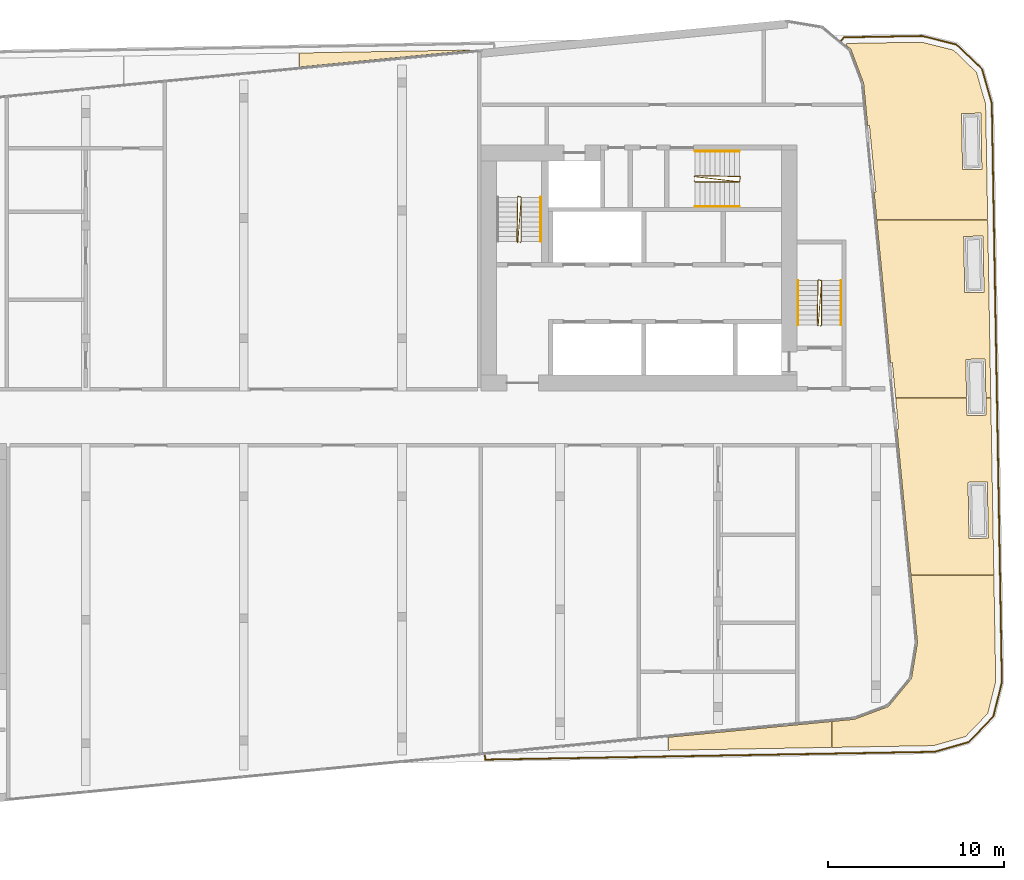
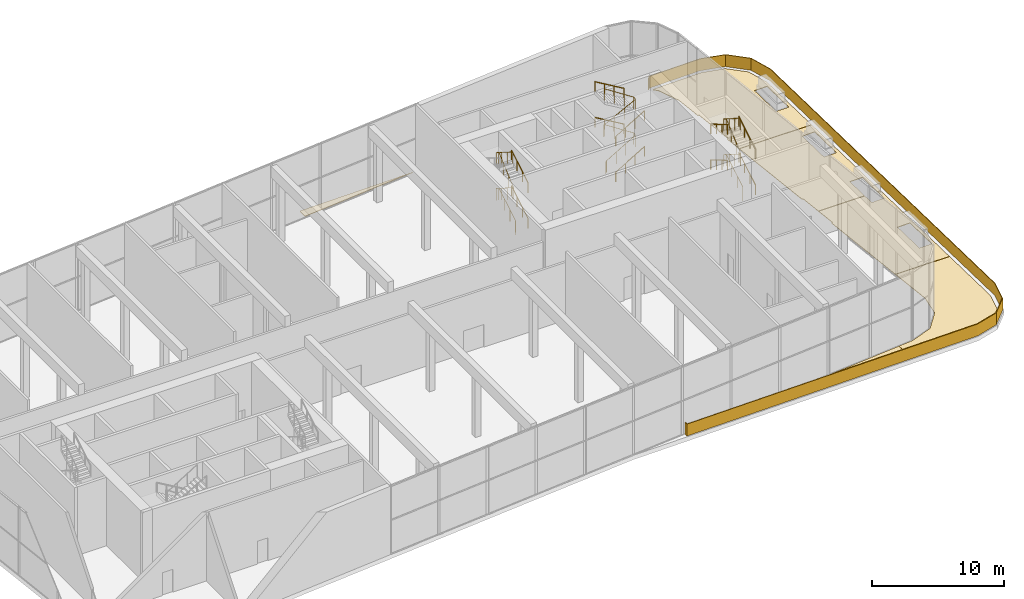
# One storey, part 23 of 24: 14 railings, 6 coverings.
"""IFC4 building model written with IfcOpenShell, lengths in metres."""

from ifc_helpers import new_model, si_unit, direction, frame, origin, origin_2d, place, context, subcontext, project, spatial, polyline, circle, outline, extrude, material, layer, layer_set, type_object, element, save


model = new_model("IFC4")

# Units and contexts
model_context = context("Model", 3, precision=1e-05, world=origin(), true_north=direction((0.0, 1.0)))
body_context = subcontext(model_context, "Body", "Model", "MODEL_VIEW")
ifc_project = project(units=[si_unit("LENGTHUNIT", "METRE"), si_unit("AREAUNIT", "SQUARE_METRE"), si_unit("VOLUMEUNIT", "CUBIC_METRE"), si_unit("PLANEANGLEUNIT", "RADIAN"), si_unit("MASSUNIT", "GRAM", prefix="KILO")], contexts=[model_context])

# Site, building, storey
site_placement = place(None, origin())
site = spatial("IfcSite", under=ifc_project, at=site_placement, CompositionType="ELEMENT")
building_placement = place(site_placement, origin())
building = spatial("IfcBuilding", under=site, at=building_placement, Name="Kajstack Hotel Tower", CompositionType="ELEMENT")
storey_placement = place(building_placement, frame((0.0, 0.0, 261.89990234375)))
storey = spatial("IfcBuildingStorey", under=building, at=storey_placement, Name="L65", CompositionType="ELEMENT", Elevation=261.89990234375)

# Railing
ifc_material_1 = material(Name="Steel S355J2", Category="steel")
railing_type_1 = type_object("IfcRailingType", Name="BALUSTRADE-TERRACE", PredefinedType="BALUSTRADE", material=ifc_material_1)
railing_1_placement = place(storey_placement, frame((34.002197265625, 21.4189453125, 0.0)))
element("IfcRailing", 1, at=railing_1_placement, inside=storey, type_object=railing_type_1, Name="Terrace guard L65-02-01", PredefinedType="BALUSTRADE", context=body_context, shape_type="SweptSolid", body=[
    extrude(outline(polyline([(0.157470703125, 0.238037109375), (4.624267578125, 0.31591796875), (6.5986328125, -0.17626953125), (8.05322265625, -1.580810546875), (8.614013671875, -3.536865234375), (9.189453125, -36.508056640625), (8.697265625, -38.482177734375), (7.29248046875, -39.93701171875), (5.336669921875, -40.497802734375), (-20.28125, -40.945068359375), (-20.3095703125, -40.648681640625), (-20.25, -40.642822265625), (-20.2265625, -40.884033203125), (5.327880859375, -40.437744140625), (7.26025390625, -39.8837890625), (8.64306640625, -38.451904296875), (9.12939453125, -36.501220703125), (8.553955078125, -3.545654296875), (8.0, -1.613037109375), (6.568359375, -0.23046875), (4.617431640625, 0.255859375), (0.186279296875, 0.178466796875), (0.023193359375, -0.01904296875), (-0.023193359375, 0.01904296875), (0.157470703125, 0.238037109375)])), origin(), (0.0, 0.0, 1.0), 1.10009765625),
])

# Coverings
ifc_material_2 = material(Name="Timber larch", Category="wood")
ifc_layer = layer(ifc_material_2, 0.050048828125)
ifc_layer_set = layer_set([ifc_layer], Name="DECK-LARCH")
covering_type = type_object("IfcCoveringType", Name="DECK-LARCH", PredefinedType="FLOORING", material=ifc_layer_set)
covering_1_placement = place(storey_placement, origin())
element("IfcCovering", 2, at=covering_1_placement, inside=storey, type_object=covering_type, Name="Larch decking L65-01-05", PredefinedType="FLOORING", context=body_context, shape_type="SweptSolid", body=[
    extrude(outline(polyline([(3.1748046875, 20.736083984375), (3.1748046875, 19.942626953125), (13.120849609375, 20.900390625), (12.584716796875, 20.900390625), (3.1748046875, 20.736083984375)])), origin(), (0.0, 0.0, 1.0), 0.050048828125),
])
covering_2_placement = place(storey_placement, origin())
element("IfcCovering", 3, at=covering_2_placement, inside=storey, type_object=covering_type, Name="Larch decking L65-02-02", PredefinedType="FLOORING", context=body_context, shape_type="SweptSolid", body=[
    extrude(outline(polyline([(33.473876953125, -18.801025390625), (33.473876953125, -17.324951171875), (24.1669921875, -18.22119140625), (24.1669921875, -18.963623046875), (33.473876953125, -18.801025390625)])), origin(), (0.0, 0.0, 1.0), 0.050048828125),
])
covering_3_placement = place(storey_placement, origin())
element("IfcCovering", 4, at=covering_3_placement, inside=storey, type_object=covering_type, Name="Larch decking L65-02-03", PredefinedType="FLOORING", context=body_context, shape_type="SweptSolid", body=[
    extrude(outline(polyline([(42.70556640625, -9.016357421875), (37.988525390625, -9.016357421875), (38.3564453125, -12.836181640625), (38.0146484375, -14.87841796875), (36.697509765625, -16.476318359375), (34.758056640625, -17.201416015625), (33.493896484375, -17.322998046875), (33.493896484375, -18.80078125), (39.2822265625, -18.69970703125), (41.092041015625, -18.180908203125), (42.35546875, -16.87255859375), (42.80078125, -15.0859375), (42.80078125, -14.472900390625), (42.70556640625, -9.016357421875)])), origin(), (0.0, 0.0, 1.0), 0.050048828125),
])
covering_4_placement = place(storey_placement, origin())
element("IfcCovering", 5, at=covering_4_placement, inside=storey, type_object=covering_type, Name="Larch decking L65-02-04", PredefinedType="FLOORING", context=body_context, shape_type="SweptSolid", body=[
    extrude(outline(polyline([(42.529052734375, 1.103759765625), (42.248779296875, 1.103759765625), (42.26611328125, 0.114013671875), (41.166259765625, 0.094970703125), (41.148681640625, 1.103759765625), (37.114501953125, 1.103759765625), (37.286376953125, -0.681640625), (37.18701171875, -0.691162109375), (37.986572265625, -8.996337890625), (42.705322265625, -8.996337890625), (42.529052734375, 1.103759765625)]), holes=[polyline([(42.388427734375, -6.885009765625), (41.28857421875, -6.904052734375), (41.232666015625, -3.70458984375), (42.33251953125, -3.685302734375), (42.388427734375, -6.885009765625)])]), origin(), (0.0, 0.0, 1.0), 0.050048828125),
])
covering_5_placement = place(storey_placement, origin())
element("IfcCovering", 6, at=covering_5_placement, inside=storey, type_object=covering_type, Name="Larch decking L65-02-05", PredefinedType="FLOORING", context=body_context, shape_type="SweptSolid", body=[
    extrude(outline(polyline([(42.352294921875, 11.223876953125), (36.03955078125, 11.223876953125), (36.82275390625, 3.09130859375), (36.922119140625, 3.100830078125), (37.112548828125, 1.123779296875), (41.1484375, 1.123779296875), (41.110595703125, 3.29443359375), (42.21044921875, 3.3134765625), (42.24853515625, 1.123779296875), (42.528564453125, 1.123779296875), (42.352294921875, 11.223876953125)]), holes=[polyline([(42.14404296875, 7.113037109375), (41.044189453125, 7.09375), (40.98828125, 10.293212890625), (42.088134765625, 10.3125), (42.14404296875, 7.113037109375)])]), origin(), (0.0, 0.0, 1.0), 0.050048828125),
])
covering_6_placement = place(storey_placement, origin())
element("IfcCovering", 7, at=covering_6_placement, inside=storey, type_object=covering_type, Name="Larch decking L65-02-06", PredefinedType="FLOORING", context=body_context, shape_type="SweptSolid", body=[
    extrude(outline(polyline([(35.289306640625, 19.016357421875), (35.522705078125, 16.59130859375), (35.622314453125, 16.600830078125), (35.986572265625, 12.818359375), (35.886962890625, 12.808837890625), (36.03759765625, 11.243896484375), (42.35205078125, 11.243896484375), (42.237060546875, 17.825439453125), (41.718017578125, 19.63525390625), (40.409912109375, 20.898681640625), (38.623046875, 21.34423828125), (38.009765625, 21.34423828125), (34.341552734375, 21.2802734375), (34.2724609375, 21.196533203125), (34.564208984375, 20.955810546875), (35.289306640625, 19.016357421875)]), holes=[polyline([(42.02197265625, 14.11181640625), (40.922119140625, 14.0927734375), (40.8662109375, 17.292236328125), (41.966064453125, 17.3115234375), (42.02197265625, 14.11181640625)])]), origin(), (0.0, 0.0, 1.0), 0.050048828125),
])

# Railings
railing_type_2 = type_object("IfcRailingType", Name="Stair guard 1100", PredefinedType="GUARDRAIL", material=ifc_material_1)
railing_2_placement = place(storey_placement, frame((32.85009765625, 5.199951171875, 0.0)))
element("IfcRailing", 8, at=railing_2_placement, inside=storey, type_object=railing_type_2, Name="L65 E1 stair guard 1", PredefinedType="GUARDRAIL", context=body_context, shape_type="SweptSolid", body=[
    extrude(circle(Radius=0.02392578125, at=origin_2d()), frame((0.0, 0.0, 1.076171875), z_axis=(0.277450376394, 0.278810427259, 0.919394384522), x_axis=(-0.708833529934, 0.705375805398, 0.0)), (0.0, 0.0, 1.0), 0.179443359375),
    extrude(circle(Radius=0.02392578125, at=origin_2d()), frame((0.0498046875, 0.050048828125, 1.2412109375), z_axis=(0.0, 0.86152411907, 0.507716645641), x_axis=(-1.0, 0.0, 0.0)), (0.0, 0.0, 1.0), 2.925048828125),
    extrude(circle(Radius=0.02392578125, at=origin_2d()), frame((0.0498046875, 2.570068359375, 2.72607421875), z_axis=(-0.970072785993, 0.242814311512, 0.0), x_axis=(-0.242814311512, -0.970072785993, 0.0)), (0.0, 0.0, 1.0), 0.2060546875),
    extrude(circle(Radius=0.02392578125, at=origin_2d()), frame((-0.150146484375, 2.6201171875, 2.72607421875), z_axis=(-0.016385308676, -0.841405582595, 0.540155687962), x_axis=(0.999810440751, -0.019470042781, 0.0)), (0.0, 0.0, 1.0), 3.054443359375),
    extrude(circle(Radius=0.02392578125, at=origin_2d()), frame((-0.2001953125, 0.050048828125, 4.3759765625), z_axis=(0.707106781187, -0.707106781187, 0.0), x_axis=(0.707106781187, 0.707106781187, 0.0)), (0.0, 0.0, 1.0), 0.07080078125),
    extrude(circle(Radius=0.02392578125, at=origin_2d()), frame((-0.150146484375, 0.0, 4.3759765625), z_axis=(0.065327422454, 0.839684708398, 0.53913070619), x_axis=(-0.996987254287, 0.077565551559, 0.0)), (0.0, 0.0, 1.0), 3.060791015625),
    extrude(circle(Radius=0.02392578125, at=origin_2d()), frame((0.0498046875, 2.570068359375, 6.0263671875), z_axis=(-0.970072785993, 0.242814311512, 0.0), x_axis=(-0.242814311512, -0.970072785993, 0.0)), (0.0, 0.0, 1.0), 0.2060546875),
    extrude(circle(Radius=0.02392578125, at=origin_2d()), frame((-0.150146484375, 2.6201171875, 6.0263671875), z_axis=(-0.016385308676, -0.841405582595, 0.540155687962), x_axis=(0.999810440751, -0.019470042781, 0.0)), (0.0, 0.0, 1.0), 3.054443359375),
    extrude(circle(Radius=0.02099609375, at=origin_2d()), origin(), (0.0, 0.0, 1.0), 1.052001953125),
    extrude(circle(Radius=0.02099609375, at=origin_2d()), frame((0.0498046875, 0.050048828125, 0.1650390625)), (0.0, 0.0, 1.0), 1.052001953125),
    extrude(circle(Radius=0.02099609375, at=origin_2d()), frame((0.0498046875, 0.89013671875, 0.66015625)), (0.0, 0.0, 1.0), 1.052001953125),
    extrude(circle(Radius=0.02099609375, at=origin_2d()), frame((0.0498046875, 1.72998046875, 1.155029296875)), (0.0, 0.0, 1.0), 1.052001953125),
    extrude(circle(Radius=0.02099609375, at=origin_2d()), frame((0.0498046875, 2.570068359375, 1.650146484375)), (0.0, 0.0, 1.0), 1.052001953125),
    extrude(circle(Radius=0.02099609375, at=origin_2d()), frame((-0.150146484375, 2.6201171875, 1.650146484375)), (0.0, 0.0, 1.0), 1.052001953125),
    extrude(circle(Radius=0.02099609375, at=origin_2d()), frame((-0.166748046875, 1.763427734375, 2.2001953125)), (0.0, 0.0, 1.0), 1.052001953125),
    extrude(circle(Radius=0.02099609375, at=origin_2d()), frame((-0.18359375, 0.90673828125, 2.75)), (0.0, 0.0, 1.0), 1.052001953125),
    extrude(circle(Radius=0.02099609375, at=origin_2d()), frame((-0.2001953125, 0.050048828125, 3.300048828125)), (0.0, 0.0, 1.0), 1.052001953125),
    extrude(circle(Radius=0.02099609375, at=origin_2d()), frame((-0.150146484375, 0.0, 3.300048828125)), (0.0, 0.0, 1.0), 1.052001953125),
    extrude(circle(Radius=0.02099609375, at=origin_2d()), frame((-0.08349609375, 0.856689453125, 3.85009765625)), (0.0, 0.0, 1.0), 1.052001953125),
    extrude(circle(Radius=0.02099609375, at=origin_2d()), frame((-0.016845703125, 1.71337890625, 4.400146484375)), (0.0, 0.0, 1.0), 1.052001953125),
    extrude(circle(Radius=0.02099609375, at=origin_2d()), frame((0.0498046875, 2.570068359375, 4.9501953125)), (0.0, 0.0, 1.0), 1.052001953125),
    extrude(circle(Radius=0.02099609375, at=origin_2d()), frame((-0.150146484375, 2.6201171875, 4.9501953125)), (0.0, 0.0, 1.0), 1.052001953125),
    extrude(circle(Radius=0.02099609375, at=origin_2d()), frame((-0.166748046875, 1.763427734375, 5.500244140625)), (0.0, 0.0, 1.0), 1.052001953125),
    extrude(circle(Radius=0.02099609375, at=origin_2d()), frame((-0.18359375, 0.90673828125, 6.050048828125)), (0.0, 0.0, 1.0), 1.052001953125),
    extrude(circle(Radius=0.02099609375, at=origin_2d()), frame((-0.2001953125, 0.050048828125, 6.60009765625)), (0.0, 0.0, 1.0), 1.052001953125),
])
railing_3_placement = place(storey_placement, frame((15.75, 9.949951171875, 0.0)))
element("IfcRailing", 9, at=railing_3_placement, inside=storey, type_object=railing_type_2, Name="L65 E2 stair guard 1", PredefinedType="GUARDRAIL", context=body_context, shape_type="SweptSolid", body=[
    extrude(circle(Radius=0.02392578125, at=origin_2d()), frame((0.0, 0.0, 1.076171875), z_axis=(0.278705021027, 0.278705021027, 0.919046801044), x_axis=(-0.707106781187, 0.707106781187, 0.0)), (0.0, 0.0, 1.0), 0.1796875),
    extrude(circle(Radius=0.02392578125, at=origin_2d()), frame((0.050048828125, 0.050048828125, 1.2412109375), z_axis=(0.0, 0.86152411907, 0.507716645641), x_axis=(-1.0, 0.0, 0.0)), (0.0, 0.0, 1.0), 2.925048828125),
    extrude(circle(Radius=0.02392578125, at=origin_2d()), frame((0.050048828125, 2.570068359375, 2.72607421875), z_axis=(-0.970072785993, 0.242814311512, 0.0), x_axis=(-0.242814311512, -0.970072785993, 0.0)), (0.0, 0.0, 1.0), 0.2060546875),
    extrude(circle(Radius=0.02392578125, at=origin_2d()), frame((-0.14990234375, 2.6201171875, 2.72607421875), z_axis=(-0.016385308676, -0.841405582595, 0.540155687962), x_axis=(0.999810440751, -0.019470042781, 0.0)), (0.0, 0.0, 1.0), 3.054443359375),
    extrude(circle(Radius=0.02392578125, at=origin_2d()), frame((-0.199951171875, 0.050048828125, 4.3759765625), z_axis=(0.707106781187, -0.707106781187, 0.0), x_axis=(0.707106781187, 0.707106781187, 0.0)), (0.0, 0.0, 1.0), 0.07080078125),
    extrude(circle(Radius=0.02392578125, at=origin_2d()), frame((-0.14990234375, 0.0, 4.3759765625), z_axis=(0.065327422454, 0.839684708398, 0.53913070619), x_axis=(-0.996987254287, 0.077565551559, 0.0)), (0.0, 0.0, 1.0), 3.060791015625),
    extrude(circle(Radius=0.02392578125, at=origin_2d()), frame((0.050048828125, 2.570068359375, 6.0263671875), z_axis=(-0.970072785993, 0.242814311512, 0.0), x_axis=(-0.242814311512, -0.970072785993, 0.0)), (0.0, 0.0, 1.0), 0.2060546875),
    extrude(circle(Radius=0.02392578125, at=origin_2d()), frame((-0.14990234375, 2.6201171875, 6.0263671875), z_axis=(-0.016385308676, -0.841405582595, 0.540155687962), x_axis=(0.999810440751, -0.019470042781, 0.0)), (0.0, 0.0, 1.0), 3.054443359375),
    extrude(circle(Radius=0.02099609375, at=origin_2d()), origin(), (0.0, 0.0, 1.0), 1.052001953125),
    extrude(circle(Radius=0.02099609375, at=origin_2d()), frame((0.050048828125, 0.050048828125, 0.1650390625)), (0.0, 0.0, 1.0), 1.052001953125),
    extrude(circle(Radius=0.02099609375, at=origin_2d()), frame((0.050048828125, 0.89013671875, 0.66015625)), (0.0, 0.0, 1.0), 1.052001953125),
    extrude(circle(Radius=0.02099609375, at=origin_2d()), frame((0.050048828125, 1.72998046875, 1.155029296875)), (0.0, 0.0, 1.0), 1.052001953125),
    extrude(circle(Radius=0.02099609375, at=origin_2d()), frame((0.050048828125, 2.570068359375, 1.650146484375)), (0.0, 0.0, 1.0), 1.052001953125),
    extrude(circle(Radius=0.02099609375, at=origin_2d()), frame((-0.14990234375, 2.6201171875, 1.650146484375)), (0.0, 0.0, 1.0), 1.052001953125),
    extrude(circle(Radius=0.02099609375, at=origin_2d()), frame((-0.16650390625, 1.763427734375, 2.2001953125)), (0.0, 0.0, 1.0), 1.052001953125),
    extrude(circle(Radius=0.02099609375, at=origin_2d()), frame((-0.183349609375, 0.90673828125, 2.75)), (0.0, 0.0, 1.0), 1.052001953125),
    extrude(circle(Radius=0.02099609375, at=origin_2d()), frame((-0.199951171875, 0.050048828125, 3.300048828125)), (0.0, 0.0, 1.0), 1.052001953125),
    extrude(circle(Radius=0.02099609375, at=origin_2d()), frame((-0.14990234375, 0.0, 3.300048828125)), (0.0, 0.0, 1.0), 1.052001953125),
    extrude(circle(Radius=0.02099609375, at=origin_2d()), frame((-0.083251953125, 0.856689453125, 3.85009765625)), (0.0, 0.0, 1.0), 1.052001953125),
    extrude(circle(Radius=0.02099609375, at=origin_2d()), frame((-0.0166015625, 1.71337890625, 4.400146484375)), (0.0, 0.0, 1.0), 1.052001953125),
    extrude(circle(Radius=0.02099609375, at=origin_2d()), frame((0.050048828125, 2.570068359375, 4.9501953125)), (0.0, 0.0, 1.0), 1.052001953125),
    extrude(circle(Radius=0.02099609375, at=origin_2d()), frame((-0.14990234375, 2.6201171875, 4.9501953125)), (0.0, 0.0, 1.0), 1.052001953125),
    extrude(circle(Radius=0.02099609375, at=origin_2d()), frame((-0.16650390625, 1.763427734375, 5.500244140625)), (0.0, 0.0, 1.0), 1.052001953125),
    extrude(circle(Radius=0.02099609375, at=origin_2d()), frame((-0.183349609375, 0.90673828125, 6.050048828125)), (0.0, 0.0, 1.0), 1.052001953125),
    extrude(circle(Radius=0.02099609375, at=origin_2d()), frame((-0.199951171875, 0.050048828125, 6.60009765625)), (0.0, 0.0, 1.0), 1.052001953125),
])
railing_4_placement = place(storey_placement, frame((25.64990234375, 13.449951171875, 0.0)))
element("IfcRailing", 10, at=railing_4_placement, inside=storey, type_object=railing_type_2, Name="L65 E3 stair guard 1", PredefinedType="GUARDRAIL", context=body_context, shape_type="SweptSolid", body=[
    extrude(circle(Radius=0.02392578125, at=origin_2d()), frame((0.0, 0.0, 1.076171875), z_axis=(0.278705021027, -0.278705021027, 0.919046801044), x_axis=(0.707106781187, 0.707106781187, 0.0)), (0.0, 0.0, 1.0), 0.1796875),
    extrude(circle(Radius=0.02392578125, at=origin_2d()), frame((0.050048828125, -0.050048828125, 1.2412109375), z_axis=(0.86152411907, 0.0, 0.507716645641), x_axis=(0.0, 1.0, 0.0)), (0.0, 0.0, 1.0), 2.925048828125),
    extrude(circle(Radius=0.02392578125, at=origin_2d()), frame((2.570068359375, -0.050048828125, 2.72607421875), z_axis=(0.164529134168, 0.986372223864, 0.0), x_axis=(-0.986372223864, 0.164529134168, 0.0)), (0.0, 0.0, 1.0), 0.30419921875),
    extrude(circle(Radius=0.02392578125, at=origin_2d()), frame((2.6201171875, 0.25, 2.72607421875), z_axis=(-0.841405582595, 0.016385308676, 0.540155687962), x_axis=(-0.019470042781, -0.999810440751, 0.0)), (0.0, 0.0, 1.0), 3.054443359375),
    extrude(circle(Radius=0.02392578125, at=origin_2d()), frame((0.050048828125, 0.300048828125, 4.3759765625), z_axis=(-0.707106781187, -0.707106781187, 0.0), x_axis=(0.707106781187, -0.707106781187, 0.0)), (0.0, 0.0, 1.0), 0.07080078125),
    extrude(circle(Radius=0.02392578125, at=origin_2d()), frame((0.0, 0.25, 4.3759765625), z_axis=(0.837450686566, -0.097770199847, 0.537696322837), x_axis=(0.115959822279, 0.993253904909, 0.0)), (0.0, 0.0, 1.0), 3.06884765625),
    extrude(circle(Radius=0.02392578125, at=origin_2d()), frame((2.570068359375, -0.050048828125, 6.0263671875), z_axis=(0.164529134168, 0.986372223864, 0.0), x_axis=(-0.986372223864, 0.164529134168, 0.0)), (0.0, 0.0, 1.0), 0.30419921875),
    extrude(circle(Radius=0.02392578125, at=origin_2d()), frame((2.6201171875, 0.25, 6.0263671875), z_axis=(-0.841405582595, 0.016385308676, 0.540155687962), x_axis=(-0.019470042781, -0.999810440751, 0.0)), (0.0, 0.0, 1.0), 3.054443359375),
    extrude(circle(Radius=0.02099609375, at=origin_2d()), origin(), (0.0, 0.0, 1.0), 1.052001953125),
    extrude(circle(Radius=0.02099609375, at=origin_2d()), frame((0.050048828125, -0.050048828125, 0.1650390625)), (0.0, 0.0, 1.0), 1.052001953125),
    extrude(circle(Radius=0.02099609375, at=origin_2d()), frame((0.89013671875, -0.050048828125, 0.66015625)), (0.0, 0.0, 1.0), 1.052001953125),
    extrude(circle(Radius=0.02099609375, at=origin_2d()), frame((1.72998046875, -0.050048828125, 1.155029296875)), (0.0, 0.0, 1.0), 1.052001953125),
    extrude(circle(Radius=0.02099609375, at=origin_2d()), frame((2.570068359375, -0.050048828125, 1.650146484375)), (0.0, 0.0, 1.0), 1.052001953125),
    extrude(circle(Radius=0.02099609375, at=origin_2d()), frame((2.6201171875, 0.25, 1.650146484375)), (0.0, 0.0, 1.0), 1.052001953125),
    extrude(circle(Radius=0.02099609375, at=origin_2d()), frame((1.763427734375, 0.2666015625, 2.2001953125)), (0.0, 0.0, 1.0), 1.052001953125),
    extrude(circle(Radius=0.02099609375, at=origin_2d()), frame((0.90673828125, 0.283447265625, 2.75)), (0.0, 0.0, 1.0), 1.052001953125),
    extrude(circle(Radius=0.02099609375, at=origin_2d()), frame((0.050048828125, 0.300048828125, 3.300048828125)), (0.0, 0.0, 1.0), 1.052001953125),
    extrude(circle(Radius=0.02099609375, at=origin_2d()), frame((0.0, 0.25, 3.300048828125)), (0.0, 0.0, 1.0), 1.052001953125),
    extrude(circle(Radius=0.02099609375, at=origin_2d()), frame((0.856689453125, 0.14990234375, 3.85009765625)), (0.0, 0.0, 1.0), 1.052001953125),
    extrude(circle(Radius=0.02099609375, at=origin_2d()), frame((1.71337890625, 0.050048828125, 4.400146484375)), (0.0, 0.0, 1.0), 1.052001953125),
    extrude(circle(Radius=0.02099609375, at=origin_2d()), frame((2.570068359375, -0.050048828125, 4.9501953125)), (0.0, 0.0, 1.0), 1.052001953125),
    extrude(circle(Radius=0.02099609375, at=origin_2d()), frame((2.6201171875, 0.25, 4.9501953125)), (0.0, 0.0, 1.0), 1.052001953125),
    extrude(circle(Radius=0.02099609375, at=origin_2d()), frame((1.763427734375, 0.2666015625, 5.500244140625)), (0.0, 0.0, 1.0), 1.052001953125),
    extrude(circle(Radius=0.02099609375, at=origin_2d()), frame((0.90673828125, 0.283447265625, 6.050048828125)), (0.0, 0.0, 1.0), 1.052001953125),
    extrude(circle(Radius=0.02099609375, at=origin_2d()), frame((0.050048828125, 0.300048828125, 6.60009765625)), (0.0, 0.0, 1.0), 1.052001953125),
])
railing_type_3 = type_object("IfcRailingType", Name="Stair handrail 900", PredefinedType="HANDRAIL", material=ifc_material_1)
railing_5_placement = place(storey_placement, frame((34.0, 5.25, 0.1650390625)))
element("IfcRailing", 11, at=railing_5_placement, inside=storey, type_object=railing_type_3, Name="L65 E1 stair handrail 1", PredefinedType="HANDRAIL", context=body_context, shape_type="SweptSolid", body=[
    extrude(circle(Radius=0.02392578125, at=origin_2d()), frame((0.0, 0.0, 0.8759765625), z_axis=(0.0, 0.86152411907, 0.507716645641), x_axis=(-1.0, 0.0, 0.0)), (0.0, 0.0, 1.0), 2.925048828125),
    extrude(circle(Radius=0.02099609375, at=origin_2d()), origin(), (0.0, 0.0, 1.0), 0.851806640625),
    extrude(circle(Radius=0.02099609375, at=origin_2d()), frame((0.0, 0.840087890625, 0.4951171875)), (0.0, 0.0, 1.0), 0.851806640625),
    extrude(circle(Radius=0.02099609375, at=origin_2d()), frame((0.0, 1.679931640625, 0.989990234375)), (0.0, 0.0, 1.0), 0.851806640625),
    extrude(circle(Radius=0.02099609375, at=origin_2d()), frame((0.0, 2.52001953125, 1.485107421875)), (0.0, 0.0, 1.0), 0.851806640625),
])
railing_6_placement = place(storey_placement, frame((31.550048828125, 7.77001953125, 1.815185546875)))
element("IfcRailing", 12, at=railing_6_placement, inside=storey, type_object=railing_type_3, Name="L65 E1 stair handrail 2", PredefinedType="HANDRAIL", context=body_context, shape_type="SweptSolid", body=[
    extrude(circle(Radius=0.02392578125, at=origin_2d()), frame((0.0, 0.0, 0.8759765625), z_axis=(0.0, -0.861560626758, 0.507654692109), x_axis=(1.0, 0.0, 0.0)), (0.0, 0.0, 1.0), 2.925048828125),
    extrude(circle(Radius=0.02099609375, at=origin_2d()), origin(), (0.0, 0.0, 1.0), 0.851806640625),
    extrude(circle(Radius=0.02099609375, at=origin_2d()), frame((0.0, -0.840087890625, 0.494873046875)), (0.0, 0.0, 1.0), 0.851806640625),
    extrude(circle(Radius=0.02099609375, at=origin_2d()), frame((0.0, -1.679931640625, 0.989990234375)), (0.0, 0.0, 1.0), 0.851806640625),
    extrude(circle(Radius=0.02099609375, at=origin_2d()), frame((0.0, -2.52001953125, 1.48486328125)), (0.0, 0.0, 1.0), 0.851806640625),
])
railing_7_placement = place(storey_placement, frame((34.0, 5.25, 3.465087890625)))
element("IfcRailing", 13, at=railing_7_placement, inside=storey, type_object=railing_type_3, Name="L65 E1 stair handrail 3", PredefinedType="HANDRAIL", context=body_context, shape_type="SweptSolid", body=[
    extrude(circle(Radius=0.02392578125, at=origin_2d()), frame((0.0, 0.0, 0.8759765625), z_axis=(0.0, 0.86152411907, 0.507716645641), x_axis=(-1.0, 0.0, 0.0)), (0.0, 0.0, 1.0), 2.925048828125),
    extrude(circle(Radius=0.02099609375, at=origin_2d()), origin(), (0.0, 0.0, 1.0), 0.851806640625),
    extrude(circle(Radius=0.02099609375, at=origin_2d()), frame((0.0, 0.840087890625, 0.4951171875)), (0.0, 0.0, 1.0), 0.851806640625),
    extrude(circle(Radius=0.02099609375, at=origin_2d()), frame((0.0, 1.679931640625, 0.989990234375)), (0.0, 0.0, 1.0), 0.851806640625),
    extrude(circle(Radius=0.02099609375, at=origin_2d()), frame((0.0, 2.52001953125, 1.485107421875)), (0.0, 0.0, 1.0), 0.851806640625),
])
railing_8_placement = place(storey_placement, frame((31.550048828125, 7.77001953125, 5.114990234375)))
element("IfcRailing", 14, at=railing_8_placement, inside=storey, type_object=railing_type_3, Name="L65 E1 stair handrail 4", PredefinedType="HANDRAIL", context=body_context, shape_type="SweptSolid", body=[
    extrude(circle(Radius=0.02392578125, at=origin_2d()), frame((0.0, 0.0, 0.8759765625), z_axis=(0.0, -0.86152411907, 0.507716645641), x_axis=(1.0, 0.0, 0.0)), (0.0, 0.0, 1.0), 2.925048828125),
    extrude(circle(Radius=0.02099609375, at=origin_2d()), origin(), (0.0, 0.0, 1.0), 0.851806640625),
    extrude(circle(Radius=0.02099609375, at=origin_2d()), frame((0.0, -0.840087890625, 0.4951171875)), (0.0, 0.0, 1.0), 0.851806640625),
    extrude(circle(Radius=0.02099609375, at=origin_2d()), frame((0.0, -1.679931640625, 0.989990234375)), (0.0, 0.0, 1.0), 0.851806640625),
    extrude(circle(Radius=0.02099609375, at=origin_2d()), frame((0.0, -2.52001953125, 1.485107421875)), (0.0, 0.0, 1.0), 0.851806640625),
])
for number, where, name in (
    (15, (16.89990234375, 10.0, 0.1650390625), "L65 E2 stair handrail 1"),
    (16, (16.89990234375, 10.0, 3.465087890625), "L65 E2 stair handrail 3"),
):
    element("IfcRailing", number, at=place(storey_placement, frame(where)), inside=storey, type_object=railing_type_3, Name=name, PredefinedType="HANDRAIL", context=body_context, shape_type="SweptSolid", body=[
        extrude(circle(Radius=0.02392578125, at=origin_2d()), frame((0.0, 0.0, 0.8759765625), z_axis=(0.0, 0.86152411907, 0.507716645641), x_axis=(-1.0, 0.0, 0.0)), (0.0, 0.0, 1.0), 2.925048828125),
        extrude(circle(Radius=0.02099609375, at=origin_2d()), origin(), (0.0, 0.0, 1.0), 0.851806640625),
        extrude(circle(Radius=0.02099609375, at=origin_2d()), frame((0.0, 0.840087890625, 0.4951171875)), (0.0, 0.0, 1.0), 0.851806640625),
        extrude(circle(Radius=0.02099609375, at=origin_2d()), frame((0.0, 1.679931640625, 0.989990234375)), (0.0, 0.0, 1.0), 0.851806640625),
        extrude(circle(Radius=0.02099609375, at=origin_2d()), frame((0.0, 2.52001953125, 1.485107421875)), (0.0, 0.0, 1.0), 0.851806640625),
    ])
railing_9_placement = place(storey_placement, frame((25.699951171875, 12.0, 0.1650390625)))
element("IfcRailing", 17, at=railing_9_placement, inside=storey, type_object=railing_type_3, Name="L65 E3 stair handrail 1", PredefinedType="HANDRAIL", context=body_context, shape_type="SweptSolid", body=[
    extrude(circle(Radius=0.02392578125, at=origin_2d()), frame((0.0, 0.0, 0.8759765625), z_axis=(0.86152411907, 0.0, 0.507716645641), x_axis=(0.0, 1.0, 0.0)), (0.0, 0.0, 1.0), 2.925048828125),
    extrude(circle(Radius=0.02099609375, at=origin_2d()), origin(), (0.0, 0.0, 1.0), 0.851806640625),
    extrude(circle(Radius=0.02099609375, at=origin_2d()), frame((0.840087890625, 0.0, 0.4951171875)), (0.0, 0.0, 1.0), 0.851806640625),
    extrude(circle(Radius=0.02099609375, at=origin_2d()), frame((1.679931640625, 0.0, 0.989990234375)), (0.0, 0.0, 1.0), 0.851806640625),
    extrude(circle(Radius=0.02099609375, at=origin_2d()), frame((2.52001953125, 0.0, 1.485107421875)), (0.0, 0.0, 1.0), 0.851806640625),
])
railing_10_placement = place(storey_placement, frame((28.219970703125, 15.14990234375, 1.815185546875)))
element("IfcRailing", 18, at=railing_10_placement, inside=storey, type_object=railing_type_3, Name="L65 E3 stair handrail 2", PredefinedType="HANDRAIL", context=body_context, shape_type="SweptSolid", body=[
    extrude(circle(Radius=0.02392578125, at=origin_2d()), frame((0.0, 0.0, 0.8759765625), z_axis=(-0.861560626758, 0.0, 0.507654692109), x_axis=(0.0, -1.0, 0.0)), (0.0, 0.0, 1.0), 2.925048828125),
    extrude(circle(Radius=0.02099609375, at=origin_2d()), origin(), (0.0, 0.0, 1.0), 0.851806640625),
    extrude(circle(Radius=0.02099609375, at=origin_2d()), frame((-0.840087890625, 0.0, 0.494873046875)), (0.0, 0.0, 1.0), 0.851806640625),
    extrude(circle(Radius=0.02099609375, at=origin_2d()), frame((-1.679931640625, 0.0, 0.989990234375)), (0.0, 0.0, 1.0), 0.851806640625),
    extrude(circle(Radius=0.02099609375, at=origin_2d()), frame((-2.52001953125, 0.0, 1.48486328125)), (0.0, 0.0, 1.0), 0.851806640625),
])
railing_11_placement = place(storey_placement, frame((25.699951171875, 12.0, 3.465087890625)))
element("IfcRailing", 19, at=railing_11_placement, inside=storey, type_object=railing_type_3, Name="L65 E3 stair handrail 3", PredefinedType="HANDRAIL", context=body_context, shape_type="SweptSolid", body=[
    extrude(circle(Radius=0.02392578125, at=origin_2d()), frame((0.0, 0.0, 0.8759765625), z_axis=(0.86152411907, 0.0, 0.507716645641), x_axis=(0.0, 1.0, 0.0)), (0.0, 0.0, 1.0), 2.925048828125),
    extrude(circle(Radius=0.02099609375, at=origin_2d()), origin(), (0.0, 0.0, 1.0), 0.851806640625),
    extrude(circle(Radius=0.02099609375, at=origin_2d()), frame((0.840087890625, 0.0, 0.4951171875)), (0.0, 0.0, 1.0), 0.851806640625),
    extrude(circle(Radius=0.02099609375, at=origin_2d()), frame((1.679931640625, 0.0, 0.989990234375)), (0.0, 0.0, 1.0), 0.851806640625),
    extrude(circle(Radius=0.02099609375, at=origin_2d()), frame((2.52001953125, 0.0, 1.485107421875)), (0.0, 0.0, 1.0), 0.851806640625),
])
railing_12_placement = place(storey_placement, frame((28.219970703125, 15.14990234375, 5.114990234375)))
element("IfcRailing", 20, at=railing_12_placement, inside=storey, type_object=railing_type_3, Name="L65 E3 stair handrail 4", PredefinedType="HANDRAIL", context=body_context, shape_type="SweptSolid", body=[
    extrude(circle(Radius=0.02392578125, at=origin_2d()), frame((0.0, 0.0, 0.8759765625), z_axis=(-0.86152411907, 0.0, 0.507716645641), x_axis=(0.0, -1.0, 0.0)), (0.0, 0.0, 1.0), 2.925048828125),
    extrude(circle(Radius=0.02099609375, at=origin_2d()), origin(), (0.0, 0.0, 1.0), 0.851806640625),
    extrude(circle(Radius=0.02099609375, at=origin_2d()), frame((-0.840087890625, 0.0, 0.4951171875)), (0.0, 0.0, 1.0), 0.851806640625),
    extrude(circle(Radius=0.02099609375, at=origin_2d()), frame((-1.679931640625, 0.0, 0.989990234375)), (0.0, 0.0, 1.0), 0.851806640625),
    extrude(circle(Radius=0.02099609375, at=origin_2d()), frame((-2.52001953125, 0.0, 1.485107421875)), (0.0, 0.0, 1.0), 0.851806640625),
])

save(model, "model.ifc")
